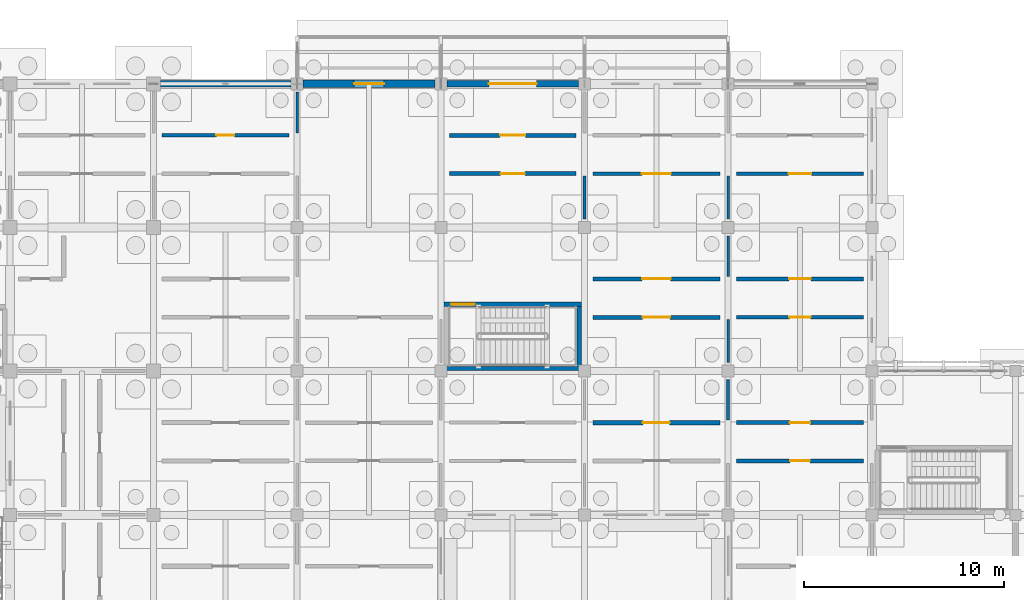
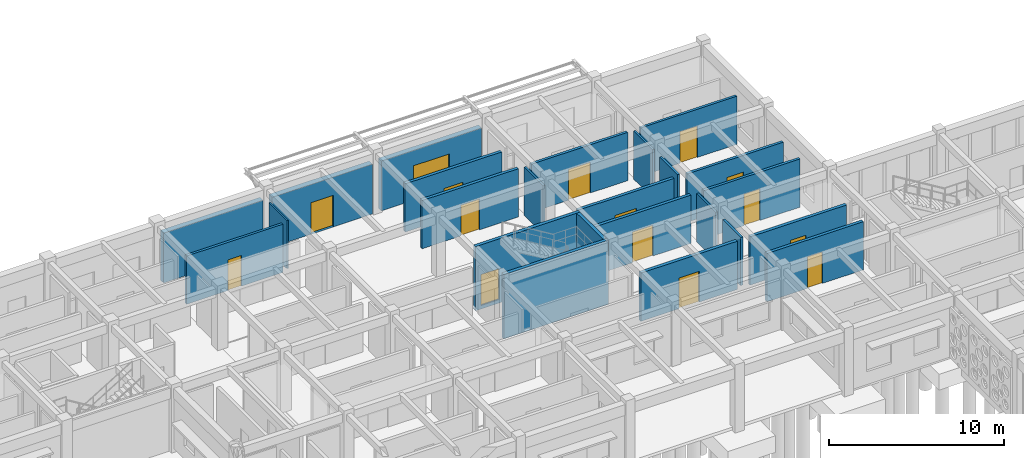
# One storey, part 71 of 111: 24 walls, 15 doors, 15 openings.
"""IFC4 building model written with IfcOpenShell, lengths in metres."""

from ifc_helpers import new_model, si_unit, direction, frame, frame_2d, origin, place, context, subcontext, project, spatial, rectangle, extrude, material, layer, layer_set, type_object, element, fill, save


model = new_model("IFC4")

# Units and contexts
model_context = context("Model", 3, precision=1e-05, world=origin(), true_north=direction((0.0, 1.0)))
body_context = subcontext(model_context, "Body", "Model", "MODEL_VIEW")
ifc_project = project(units=[si_unit("LENGTHUNIT", "METRE"), si_unit("AREAUNIT", "SQUARE_METRE"), si_unit("VOLUMEUNIT", "CUBIC_METRE"), si_unit("PLANEANGLEUNIT", "RADIAN"), si_unit("MASSUNIT", "GRAM", prefix="KILO")], contexts=[model_context])

# Site, building, storey
site_placement = place(None, origin())
site = spatial("IfcSite", under=ifc_project, at=site_placement, CompositionType="ELEMENT")
building_placement = place(site_placement, origin())
building = spatial("IfcBuilding", under=site, at=building_placement, Name="Aldebral Square Health Centre", CompositionType="ELEMENT")
storey_placement = place(building_placement, origin())
storey = spatial("IfcBuildingStorey", under=building, at=storey_placement, Name="L00", CompositionType="ELEMENT", Elevation=0.0)

# Wall
ifc_material_1 = material(Name="Cream cantera stone and concrete wall C35/45", Category="masonry")
ifc_layer_1 = layer(ifc_material_1, 0.340087890625, Name="Cream cantera stone and concrete wall C35/45", Category="masonry")
ifc_layer_set_1 = layer_set([ifc_layer_1], Name="Cream cantera stone and concrete wall C35/45")
wall_type_1 = type_object("IfcWallType", Name="EW-CAN-340", PredefinedType="SOLIDWALL", material=ifc_layer_set_1)
wall_1_placement = place(storey_placement, frame((35.699951171875, 115.199951171875, 0.0), z_axis=(0.0, 0.0, 1.0), x_axis=(-1.0, 0.0, 0.0)))
element("IfcWall", 1, at=wall_1_placement, inside=storey, type_object=wall_type_1, Name="L00 V2 exterior wall L00-V2-04-15-N", PredefinedType="SOLIDWALL", context=body_context, shape_type="SweptSolid", body=[
    extrude(rectangle(XDim=6.550048828125, YDim=0.340087890625, at=frame_2d((3.27490234375, 0.0))), origin(), (0.0, 0.0, 1.0), 3.469970703125),
])

# Wall, opening, door
wall_2_placement = place(storey_placement, frame((43.5, 115.199951171875, 0.0), z_axis=(0.0, 0.0, 1.0), x_axis=(1.0, 0.0, 0.0)))
wall_2 = element("IfcWall", 2, at=wall_2_placement, inside=storey, type_object=wall_type_1, Name="L00 V2 exterior wall L00-V2-06-15-N", PredefinedType="SOLIDWALL", context=body_context, shape_type="SweptSolid", body=[
    extrude(rectangle(XDim=6.60009765625, YDim=0.340087890625, at=frame_2d((3.300048828125, 0.0))), origin(), (0.0, 0.0, 1.0), 3.469970703125),
])
opening_1_placement = place(wall_2_placement, frame((2.10009765625, 0.0, 0.0)))
opening_1 = element("IfcOpeningElement", 3, at=opening_1_placement, cuts=wall_2, Name="Opening DG-SRV01", PredefinedType="OPENING", context=body_context, shape_type="SweptSolid", body=[
    extrude(rectangle(XDim=2.39990234375, YDim=2.39990234375, at=frame_2d((1.199951171875, 1.199951171875))), frame((0.0, 0.18017578125, 0.0), z_axis=(0.0, -1.0, 0.0), x_axis=(1.0, 0.0, 0.0)), (0.0, 0.0, 1.0), 0.360107421875),
])
ifc_material_2 = material(Name="Galvanised steel", Category="steel")
door_type_1 = type_object("IfcDoorType", Name="DR-SRV-240", OperationType="DOUBLE_DOOR_SINGLE_SWING", PredefinedType="GATE", material=ifc_material_2)
door_1_placement = place(opening_1_placement, origin())
door_1 = element("IfcDoor", 4, at=door_1_placement, inside=storey, type_object=door_type_1, Name="L00 exterior door DG-SRV01", OperationType="DOUBLE_DOOR_SINGLE_SWING", OverallHeight=2.39990234375, OverallWidth=2.39990234375, PredefinedType="GATE", context=body_context, shape_type="SweptSolid", body=[
    extrude(rectangle(XDim=2.39990234375, YDim=2.39990234375, at=frame_2d((1.199951171875, 1.199951171875))), frame((0.0, 0.02490234375, 0.0), z_axis=(0.0, -1.0, 0.0), x_axis=(1.0, 0.0, 0.0)), (0.0, 0.0, 1.0), 0.050048828125),
])
fill(opening_1, door_1)

ifc_layer_2 = layer(ifc_material_1, 0.360107421875, Name="Cream cantera stone and concrete wall C35/45", Category="masonry")
ifc_layer_set_2 = layer_set([ifc_layer_2], Name="Cream cantera stone and concrete wall C35/45")
wall_type_2 = type_object("IfcWallType", Name="EW-CAN-360", PredefinedType="SOLIDWALL", material=ifc_layer_set_2)
wall_3_placement = place(storey_placement, frame((36.300048828125, 115.199951171875, 0.0), z_axis=(0.0, 0.0, 1.0), x_axis=(1.0, 0.0, 0.0)))
wall_3 = element("IfcWall", 5, at=wall_3_placement, inside=storey, type_object=wall_type_2, Name="L00 V2 exterior wall L00-V2-05-15-N", PredefinedType="SOLIDWALL", context=body_context, shape_type="SweptSolid", body=[
    extrude(rectangle(XDim=6.599853515625, YDim=0.360107421875, at=frame_2d((3.2998046875, 0.0))), origin(), (0.0, 0.0, 1.0), 3.469970703125),
])
opening_2_placement = place(wall_3_placement, frame((2.550048828125, 0.0, 0.0)))
opening_2 = element("IfcOpeningElement", 6, at=opening_2_placement, cuts=wall_3, Name="Opening D-EX09", PredefinedType="OPENING", context=body_context, shape_type="SweptSolid", body=[
    extrude(rectangle(XDim=1.5, YDim=2.199951171875, at=frame_2d((0.75, 1.10009765625))), frame((0.0, 0.18994140625, 0.0), z_axis=(0.0, -1.0, 0.0), x_axis=(1.0, 0.0, 0.0)), (0.0, 0.0, 1.0), 0.380126953125),
])
ifc_material_3 = material(Name="Anodised aluminium and laminated safety glass", Category="aluminium")
door_type_2 = type_object("IfcDoorType", Name="DR-EX-150", OperationType="DOUBLE_DOOR_SINGLE_SWING", PredefinedType="DOOR", material=ifc_material_3)
door_2_placement = place(opening_2_placement, origin())
door_2 = element("IfcDoor", 7, at=door_2_placement, inside=storey, type_object=door_type_2, Name="L00 exterior door D-EX09", OperationType="DOUBLE_DOOR_SINGLE_SWING", OverallHeight=2.199951171875, OverallWidth=1.5, PredefinedType="DOOR", context=body_context, shape_type="SweptSolid", body=[
    extrude(rectangle(XDim=1.5, YDim=2.199951171875, at=frame_2d((0.75, 1.10009765625))), frame((0.0, 0.02490234375, 0.0), z_axis=(0.0, -1.0, 0.0), x_axis=(1.0, 0.0, 0.0)), (0.0, 0.0, 1.0), 0.050048828125),
])
fill(opening_2, door_2)

ifc_material_4 = material(Name="Concrete C35/45 compartment wall", Category="concrete")
ifc_layer_3 = layer(ifc_material_4, 0.199951171875, Name="Concrete C35/45 compartment wall", Category="concrete")
ifc_layer_set_3 = layer_set([ifc_layer_3], Name="Concrete C35/45 compartment wall")
wall_type_3 = type_object("IfcWallType", Name="IW-CMP-200", PredefinedType="SOLIDWALL", material=ifc_layer_set_3)
wall_4_placement = place(storey_placement, frame((43.6201171875, 110.699951171875, 0.0), z_axis=(0.0, 0.0, 1.0), x_axis=(1.0, 0.0, 0.0)))
wall_4 = element("IfcWall", 8, at=wall_4_placement, inside=storey, type_object=wall_type_3, Name="L00 Electrical Switchroom 7.16S corridor wall", PredefinedType="SOLIDWALL", context=body_context, shape_type="SweptSolid", body=[
    extrude(rectangle(XDim=6.35986328125, YDim=0.199951171875, at=frame_2d((3.179931640625, 0.0))), origin(), (0.0, 0.0, 1.0), 3.360107421875),
])
opening_3_placement = place(wall_4_placement, frame((2.570068359375, 0.0, 0.0)))
opening_3 = element("IfcOpeningElement", 9, at=opening_3_placement, cuts=wall_4, Name="Opening D-FD60-45", PredefinedType="OPENING", context=body_context, shape_type="SweptSolid", body=[
    extrude(rectangle(XDim=1.219970703125, YDim=2.139892578125, at=frame_2d((0.60986328125, 1.06982421875))), frame((0.0, 0.10986328125, 0.0), z_axis=(0.0, -1.0, 0.0), x_axis=(1.0, 0.0, 0.0)), (0.0, 0.0, 1.0), 0.219970703125),
])
ifc_material_5 = material(Name="Clinical suite fire door")
door_type_3 = type_object("IfcDoorType", Name="ID-EXD-40", OperationType="NOTDEFINED", PredefinedType="DOOR", material=ifc_material_5)
door_3_placement = place(opening_3_placement, origin())
door_3 = element("IfcDoor", 10, at=door_3_placement, inside=storey, type_object=door_type_3, Name="L00 Electrical Switchroom 7.16S door", OperationType="SINGLE_SWING_RIGHT", OverallHeight=2.139892578125, OverallWidth=1.219970703125, PredefinedType="DOOR", context=body_context, shape_type="SweptSolid", body=[
    extrude(rectangle(XDim=1.219970703125, YDim=2.139892578125, at=frame_2d((0.60986328125, 1.06982421875))), frame((0.0, 0.02490234375, 0.0), z_axis=(0.0, -1.0, 0.0), x_axis=(1.0, 0.0, 0.0)), (0.0, 0.0, 1.0), 0.050048828125),
])
fill(opening_3, door_3)

wall_5_placement = place(storey_placement, frame((43.6201171875, 112.6201171875, 0.0), z_axis=(0.0, 0.0, 1.0), x_axis=(1.0, 0.0, 0.0)))
wall_5 = element("IfcWall", 11, at=wall_5_placement, inside=storey, type_object=wall_type_3, Name="L00 Central Chiller Plant Room 7.16N corridor wall", PredefinedType="SOLIDWALL", context=body_context, shape_type="SweptSolid", body=[
    extrude(rectangle(XDim=6.35986328125, YDim=0.199951171875, at=frame_2d((3.179931640625, 0.0))), origin(), (0.0, 0.0, 1.0), 3.360107421875),
])
opening_4_placement = place(wall_5_placement, frame((2.550048828125, 0.0, 0.0)))
opening_4 = element("IfcOpeningElement", 12, at=opening_4_placement, cuts=wall_5, Name="Opening D-FD60-46", PredefinedType="OPENING", context=body_context, shape_type="SweptSolid", body=[
    extrude(rectangle(XDim=1.260009765625, YDim=2.139892578125, at=frame_2d((0.6298828125, 1.06982421875))), frame((0.0, 0.10986328125, 0.0), z_axis=(0.0, -1.0, 0.0), x_axis=(1.0, 0.0, 0.0)), (0.0, 0.0, 1.0), 0.219970703125),
])
door_type_4 = type_object("IfcDoorType", Name="ID-EXD-41", OperationType="NOTDEFINED", PredefinedType="DOOR", material=ifc_material_5)
door_4_placement = place(opening_4_placement, origin())
door_4 = element("IfcDoor", 13, at=door_4_placement, inside=storey, type_object=door_type_4, Name="L00 Central Chiller Plant Room 7.16N door", OperationType="SINGLE_SWING_LEFT", OverallHeight=2.139892578125, OverallWidth=1.260009765625, PredefinedType="DOOR", context=body_context, shape_type="SweptSolid", body=[
    extrude(rectangle(XDim=1.260009765625, YDim=2.139892578125, at=frame_2d((0.6298828125, 1.06982421875))), frame((0.0, 0.02490234375, 0.0), z_axis=(0.0, -1.0, 0.0), x_axis=(1.0, 0.0, 0.0)), (0.0, 0.0, 1.0), 0.050048828125),
])
fill(opening_4, door_4)

wall_6_placement = place(storey_placement, frame((50.820068359375, 103.5, 0.0), z_axis=(0.0, 0.0, 1.0), x_axis=(1.0, 0.0, 0.0)))
wall_6 = element("IfcWall", 14, at=wall_6_placement, inside=storey, type_object=wall_type_3, Name="L00 Phlebotomy Suite 8.15S corridor wall", PredefinedType="SOLIDWALL", context=body_context, shape_type="SweptSolid", body=[
    extrude(rectangle(XDim=6.35986328125, YDim=0.199951171875, at=frame_2d((3.179931640625, 0.0))), origin(), (0.0, 0.0, 1.0), 3.360107421875),
])
opening_5_placement = place(wall_6_placement, frame((2.489990234375, 0.0, 0.0)))
opening_5 = element("IfcOpeningElement", 15, at=opening_5_placement, cuts=wall_6, Name="Opening D-FD60-49", PredefinedType="OPENING", context=body_context, shape_type="SweptSolid", body=[
    extrude(rectangle(XDim=1.3798828125, YDim=2.139892578125, at=frame_2d((0.68994140625, 1.06982421875))), frame((0.0, 0.10986328125, 0.0), z_axis=(0.0, -1.0, 0.0), x_axis=(1.0, 0.0, 0.0)), (0.0, 0.0, 1.0), 0.219970703125),
])
door_type_5 = type_object("IfcDoorType", Name="ID-EXD-44", OperationType="NOTDEFINED", PredefinedType="DOOR", material=ifc_material_5)
door_5_placement = place(opening_5_placement, origin())
door_5 = element("IfcDoor", 16, at=door_5_placement, inside=storey, type_object=door_type_5, Name="L00 Phlebotomy Suite 8.15S door", OperationType="SINGLE_SWING_RIGHT", OverallHeight=2.139892578125, OverallWidth=1.3798828125, PredefinedType="DOOR", context=body_context, shape_type="SweptSolid", body=[
    extrude(rectangle(XDim=1.3798828125, YDim=2.139892578125, at=frame_2d((0.68994140625, 1.06982421875))), frame((0.0, 0.02490234375, 0.0), z_axis=(0.0, -1.0, 0.0), x_axis=(1.0, 0.0, 0.0)), (0.0, 0.0, 1.0), 0.050048828125),
])
fill(opening_5, door_5)

wall_7_placement = place(storey_placement, frame((50.820068359375, 105.419921875, 0.0), z_axis=(0.0, 0.0, 1.0), x_axis=(1.0, 0.0, 0.0)))
wall_7 = element("IfcWall", 17, at=wall_7_placement, inside=storey, type_object=wall_type_3, Name="L00 Microbiology Laboratory 8.15N corridor wall", PredefinedType="SOLIDWALL", context=body_context, shape_type="SweptSolid", body=[
    extrude(rectangle(XDim=6.35986328125, YDim=0.199951171875, at=frame_2d((3.179931640625, 0.0))), origin(), (0.0, 0.0, 1.0), 3.360107421875),
])
opening_6_placement = place(wall_7_placement, frame((2.469970703125, 0.0, 0.0)))
opening_6 = element("IfcOpeningElement", 18, at=opening_6_placement, cuts=wall_7, Name="Opening D-FD60-50", PredefinedType="OPENING", context=body_context, shape_type="SweptSolid", body=[
    extrude(rectangle(XDim=1.419921875, YDim=2.139892578125, at=frame_2d((0.7099609375, 1.06982421875))), frame((0.0, 0.10986328125, 0.0), z_axis=(0.0, -1.0, 0.0), x_axis=(1.0, 0.0, 0.0)), (0.0, 0.0, 1.0), 0.219970703125),
])
door_type_6 = type_object("IfcDoorType", Name="ID-EXD-45", OperationType="NOTDEFINED", PredefinedType="DOOR", material=ifc_material_5)
door_6_placement = place(opening_6_placement, origin())
door_6 = element("IfcDoor", 19, at=door_6_placement, inside=storey, type_object=door_type_6, Name="L00 Microbiology Laboratory 8.15N door", OperationType="SINGLE_SWING_LEFT", OverallHeight=2.139892578125, OverallWidth=1.419921875, PredefinedType="DOOR", context=body_context, shape_type="SweptSolid", body=[
    extrude(rectangle(XDim=1.419921875, YDim=2.139892578125, at=frame_2d((0.7099609375, 1.06982421875))), frame((0.0, 0.02490234375, 0.0), z_axis=(0.0, -1.0, 0.0), x_axis=(1.0, 0.0, 0.0)), (0.0, 0.0, 1.0), 0.050048828125),
])
fill(opening_6, door_6)

wall_8_placement = place(storey_placement, frame((58.02001953125, 96.300048828125, 0.0), z_axis=(0.0, 0.0, 1.0), x_axis=(1.0, 0.0, 0.0)))
wall_8 = element("IfcWall", 20, at=wall_8_placement, inside=storey, type_object=wall_type_3, Name="L00 Central Chiller Plant Room 9.14S corridor wall", PredefinedType="SOLIDWALL", context=body_context, shape_type="SweptSolid", body=[
    extrude(rectangle(XDim=6.35986328125, YDim=0.199951171875, at=frame_2d((3.179931640625, 0.0))), origin(), (0.0, 0.0, 1.0), 3.360107421875),
])
opening_7_placement = place(wall_8_placement, frame((2.68994140625, 0.0, 0.0)))
opening_7 = element("IfcOpeningElement", 21, at=opening_7_placement, cuts=wall_8, Name="Opening D-FD60-55", PredefinedType="OPENING", context=body_context, shape_type="SweptSolid", body=[
    extrude(rectangle(XDim=0.97998046875, YDim=2.18994140625, at=frame_2d((0.489990234375, 1.094970703125))), frame((0.0, 0.10986328125, 0.0), z_axis=(0.0, -1.0, 0.0), x_axis=(1.0, 0.0, 0.0)), (0.0, 0.0, 1.0), 0.219970703125),
])
door_type_7 = type_object("IfcDoorType", Name="ID-EXD-50", OperationType="NOTDEFINED", PredefinedType="DOOR", material=ifc_material_5)
door_7_placement = place(opening_7_placement, origin())
door_7 = element("IfcDoor", 22, at=door_7_placement, inside=storey, type_object=door_type_7, Name="L00 Central Chiller Plant Room 9.14S door", OperationType="SINGLE_SWING_RIGHT", OverallHeight=2.18994140625, OverallWidth=0.97998046875, PredefinedType="DOOR", context=body_context, shape_type="SweptSolid", body=[
    extrude(rectangle(XDim=0.97998046875, YDim=2.18994140625, at=frame_2d((0.489990234375, 1.094970703125))), frame((0.0, 0.02490234375, 0.0), z_axis=(0.0, -1.0, 0.0), x_axis=(1.0, 0.0, 0.0)), (0.0, 0.0, 1.0), 0.050048828125),
])
fill(opening_7, door_7)

ifc_layer_4 = layer(ifc_material_4, 0.219970703125, Name="Concrete C35/45 compartment wall", Category="concrete")
ifc_layer_set_4 = layer_set([ifc_layer_4], Name="Concrete C35/45 compartment wall")
wall_type_4 = type_object("IfcWallType", Name="IW-CMP-220", PredefinedType="SOLIDWALL", material=ifc_layer_set_4)
wall_9_placement = place(storey_placement, frame((50.820068359375, 98.219970703125, 0.0), z_axis=(0.0, 0.0, 1.0), x_axis=(1.0, 0.0, 0.0)))
wall_9 = element("IfcWall", 23, at=wall_9_placement, inside=storey, type_object=wall_type_4, Name="L00 Clinical Laboratory 8.14N corridor wall", PredefinedType="SOLIDWALL", context=body_context, shape_type="SweptSolid", body=[
    extrude(rectangle(XDim=6.35986328125, YDim=0.219970703125, at=frame_2d((3.179931640625, 0.0))), origin(), (0.0, 0.0, 1.0), 3.360107421875),
])
opening_8_placement = place(wall_9_placement, frame((2.510009765625, 0.0, 0.0)))
opening_8 = element("IfcOpeningElement", 24, at=opening_8_placement, cuts=wall_9, Name="Opening D-FD60-48", PredefinedType="OPENING", context=body_context, shape_type="SweptSolid", body=[
    extrude(rectangle(XDim=1.340087890625, YDim=2.139892578125, at=frame_2d((0.669921875, 1.06982421875))), frame((0.0, 0.1201171875, 0.0), z_axis=(0.0, -1.0, 0.0), x_axis=(1.0, 0.0, 0.0)), (0.0, 0.0, 1.0), 0.239990234375),
])
door_type_8 = type_object("IfcDoorType", Name="ID-EXD-43", OperationType="NOTDEFINED", PredefinedType="DOOR", material=ifc_material_5)
door_8_placement = place(opening_8_placement, origin())
door_8 = element("IfcDoor", 25, at=door_8_placement, inside=storey, type_object=door_type_8, Name="L00 Clinical Laboratory 8.14N door", OperationType="SINGLE_SWING_LEFT", OverallHeight=2.139892578125, OverallWidth=1.340087890625, PredefinedType="DOOR", context=body_context, shape_type="SweptSolid", body=[
    extrude(rectangle(XDim=1.340087890625, YDim=2.139892578125, at=frame_2d((0.669921875, 1.06982421875))), frame((0.0, 0.02490234375, 0.0), z_axis=(0.0, -1.0, 0.0), x_axis=(1.0, 0.0, 0.0)), (0.0, 0.0, 1.0), 0.050048828125),
])
fill(opening_8, door_8)

ifc_material_6 = material(Name="Fire-rated acoustic gypsum partition")
ifc_layer_5 = layer(ifc_material_6, 0.1650390625, Name="Fire-rated acoustic gypsum partition")
ifc_layer_set_5 = layer_set([ifc_layer_5], Name="Fire-rated acoustic gypsum partition")
wall_type_5 = type_object("IfcWallType", Name="IW-COR-165", PredefinedType="PARTITIONING", material=ifc_layer_set_5)
wall_10_placement = place(storey_placement, frame((29.219970703125, 112.6201171875, 0.0), z_axis=(0.0, 0.0, 1.0), x_axis=(1.0, 0.0, 0.0)))
wall_10 = element("IfcWall", 26, at=wall_10_placement, inside=storey, type_object=wall_type_5, Name="L00 Central Chiller Plant Room 5.16N corridor wall", PredefinedType="PARTITIONING", context=body_context, shape_type="SweptSolid", body=[
    extrude(rectangle(XDim=6.360107421875, YDim=0.1650390625, at=frame_2d((3.18017578125, 0.0))), origin(), (0.0, 0.0, 1.0), 3.360107421875),
])
opening_9_placement = place(wall_10_placement, frame((2.72998046875, 0.0, 0.0)))
opening_9 = element("IfcOpeningElement", 27, at=opening_9_placement, cuts=wall_10, Name="Opening D-FD60-37", PredefinedType="OPENING", context=body_context, shape_type="SweptSolid", body=[
    extrude(rectangle(XDim=0.89990234375, YDim=2.139892578125, at=frame_2d((0.449951171875, 1.06982421875))), frame((0.0, 0.092529296875, 0.0), z_axis=(0.0, -1.0, 0.0), x_axis=(1.0, 0.0, 0.0)), (0.0, 0.0, 1.0), 0.18505859375),
])
door_type_9 = type_object("IfcDoorType", Name="ID-EXD-32", OperationType="NOTDEFINED", PredefinedType="DOOR", material=ifc_material_5)
door_9_placement = place(opening_9_placement, origin())
door_9 = element("IfcDoor", 28, at=door_9_placement, inside=storey, type_object=door_type_9, Name="L00 Central Chiller Plant Room 5.16N door", OperationType="SINGLE_SWING_RIGHT", OverallHeight=2.139892578125, OverallWidth=0.89990234375, PredefinedType="DOOR", context=body_context, shape_type="SweptSolid", body=[
    extrude(rectangle(XDim=0.89990234375, YDim=2.139892578125, at=frame_2d((0.449951171875, 1.06982421875))), frame((0.0, 0.02490234375, 0.0), z_axis=(0.0, -1.0, 0.0), x_axis=(1.0, 0.0, 0.0)), (0.0, 0.0, 1.0), 0.050048828125),
])
fill(opening_9, door_9)

wall_11_placement = place(storey_placement, frame((58.02001953125, 110.699951171875, 0.0), z_axis=(0.0, 0.0, 1.0), x_axis=(1.0, 0.0, 0.0)))
wall_11 = element("IfcWall", 29, at=wall_11_placement, inside=storey, type_object=wall_type_5, Name="L00 Microbiology Laboratory 9.16S corridor wall", PredefinedType="PARTITIONING", context=body_context, shape_type="SweptSolid", body=[
    extrude(rectangle(XDim=6.35986328125, YDim=0.1650390625, at=frame_2d((3.179931640625, 0.0))), origin(), (0.0, 0.0, 1.0), 3.360107421875),
])
opening_10_placement = place(wall_11_placement, frame((2.610107421875, 0.0, 0.0)))
opening_10 = element("IfcOpeningElement", 30, at=opening_10_placement, cuts=wall_11, Name="Opening D-FD60-59", PredefinedType="OPENING", context=body_context, shape_type="SweptSolid", body=[
    extrude(rectangle(XDim=1.139892578125, YDim=2.18994140625, at=frame_2d((0.56982421875, 1.094970703125))), frame((0.0, 0.092529296875, 0.0), z_axis=(0.0, -1.0, 0.0), x_axis=(1.0, 0.0, 0.0)), (0.0, 0.0, 1.0), 0.18505859375),
])
door_type_10 = type_object("IfcDoorType", Name="ID-EXD-54", OperationType="NOTDEFINED", PredefinedType="DOOR", material=ifc_material_5)
door_10_placement = place(opening_10_placement, origin())
door_10 = element("IfcDoor", 31, at=door_10_placement, inside=storey, type_object=door_type_10, Name="L00 Microbiology Laboratory 9.16S door", OperationType="SINGLE_SWING_RIGHT", OverallHeight=2.18994140625, OverallWidth=1.139892578125, PredefinedType="DOOR", context=body_context, shape_type="SweptSolid", body=[
    extrude(rectangle(XDim=1.139892578125, YDim=2.18994140625, at=frame_2d((0.56982421875, 1.094970703125))), frame((0.0, 0.02490234375, 0.0), z_axis=(0.0, -1.0, 0.0), x_axis=(1.0, 0.0, 0.0)), (0.0, 0.0, 1.0), 0.050048828125),
])
fill(opening_10, door_10)

ifc_layer_6 = layer(ifc_material_6, 0.179931640625, Name="Fire-rated acoustic gypsum partition")
ifc_layer_set_6 = layer_set([ifc_layer_6], Name="Fire-rated acoustic gypsum partition")
wall_type_6 = type_object("IfcWallType", Name="IW-COR-180", PredefinedType="PARTITIONING", material=ifc_layer_set_6)
wall_12_placement = place(storey_placement, frame((50.820068359375, 110.699951171875, 0.0), z_axis=(0.0, 0.0, 1.0), x_axis=(1.0, 0.0, 0.0)))
wall_12 = element("IfcWall", 32, at=wall_12_placement, inside=storey, type_object=wall_type_6, Name="L00 Urgent Triage Exam 8.16S corridor wall", PredefinedType="PARTITIONING", context=body_context, shape_type="SweptSolid", body=[
    extrude(rectangle(XDim=6.35986328125, YDim=0.179931640625, at=frame_2d((3.179931640625, 0.0))), origin(), (0.0, 0.0, 1.0), 3.360107421875),
])
opening_11_placement = place(wall_12_placement, frame((2.449951171875, 0.0, 0.0)))
opening_11 = element("IfcOpeningElement", 33, at=opening_11_placement, cuts=wall_12, Name="Opening D-FD60-51", PredefinedType="OPENING", context=body_context, shape_type="SweptSolid", body=[
    extrude(rectangle(XDim=1.4599609375, YDim=2.139892578125, at=frame_2d((0.72998046875, 1.06982421875))), frame((0.0, 0.10009765625, 0.0), z_axis=(0.0, -1.0, 0.0), x_axis=(1.0, 0.0, 0.0)), (0.0, 0.0, 1.0), 0.199951171875),
])
door_type_11 = type_object("IfcDoorType", Name="ID-EXD-46", OperationType="NOTDEFINED", PredefinedType="DOOR", material=ifc_material_5)
door_11_placement = place(opening_11_placement, origin())
door_11 = element("IfcDoor", 34, at=door_11_placement, inside=storey, type_object=door_type_11, Name="L00 Urgent Triage Exam 8.16S door", OperationType="SINGLE_SWING_RIGHT", OverallHeight=2.139892578125, OverallWidth=1.4599609375, PredefinedType="DOOR", context=body_context, shape_type="SweptSolid", body=[
    extrude(rectangle(XDim=1.4599609375, YDim=2.139892578125, at=frame_2d((0.72998046875, 1.06982421875))), frame((0.0, 0.02490234375, 0.0), z_axis=(0.0, -1.0, 0.0), x_axis=(1.0, 0.0, 0.0)), (0.0, 0.0, 1.0), 0.050048828125),
])
fill(opening_11, door_11)

wall_13_placement = place(storey_placement, frame((58.02001953125, 103.5, 0.0), z_axis=(0.0, 0.0, 1.0), x_axis=(1.0, 0.0, 0.0)))
wall_13 = element("IfcWall", 35, at=wall_13_placement, inside=storey, type_object=wall_type_6, Name="L00 Clinical Laboratory 9.15S corridor wall", PredefinedType="PARTITIONING", context=body_context, shape_type="SweptSolid", body=[
    extrude(rectangle(XDim=6.35986328125, YDim=0.179931640625, at=frame_2d((3.179931640625, 0.0))), origin(), (0.0, 0.0, 1.0), 3.360107421875),
])
opening_12_placement = place(wall_13_placement, frame((2.64990234375, 0.0, 0.0)))
opening_12 = element("IfcOpeningElement", 36, at=opening_12_placement, cuts=wall_13, Name="Opening D-FD60-57", PredefinedType="OPENING", context=body_context, shape_type="SweptSolid", body=[
    extrude(rectangle(XDim=1.06005859375, YDim=2.18994140625, at=frame_2d((0.530029296875, 1.094970703125))), frame((0.0, 0.10009765625, 0.0), z_axis=(0.0, -1.0, 0.0), x_axis=(1.0, 0.0, 0.0)), (0.0, 0.0, 1.0), 0.199951171875),
])
door_type_12 = type_object("IfcDoorType", Name="ID-EXD-52", OperationType="NOTDEFINED", PredefinedType="DOOR", material=ifc_material_5)
door_12_placement = place(opening_12_placement, origin())
door_12 = element("IfcDoor", 37, at=door_12_placement, inside=storey, type_object=door_type_12, Name="L00 Clinical Laboratory 9.15S door", OperationType="SINGLE_SWING_RIGHT", OverallHeight=2.18994140625, OverallWidth=1.06005859375, PredefinedType="DOOR", context=body_context, shape_type="SweptSolid", body=[
    extrude(rectangle(XDim=1.06005859375, YDim=2.18994140625, at=frame_2d((0.530029296875, 1.094970703125))), frame((0.0, 0.02490234375, 0.0), z_axis=(0.0, -1.0, 0.0), x_axis=(1.0, 0.0, 0.0)), (0.0, 0.0, 1.0), 0.050048828125),
])
fill(opening_12, door_12)

wall_14_placement = place(storey_placement, frame((58.02001953125, 105.419921875, 0.0), z_axis=(0.0, 0.0, 1.0), x_axis=(1.0, 0.0, 0.0)))
wall_14 = element("IfcWall", 38, at=wall_14_placement, inside=storey, type_object=wall_type_6, Name="L00 Phlebotomy Suite 9.15N corridor wall", PredefinedType="PARTITIONING", context=body_context, shape_type="SweptSolid", body=[
    extrude(rectangle(XDim=6.35986328125, YDim=0.179931640625, at=frame_2d((3.179931640625, 0.0))), origin(), (0.0, 0.0, 1.0), 3.360107421875),
])
opening_13_placement = place(wall_14_placement, frame((2.6298828125, 0.0, 0.0)))
opening_13 = element("IfcOpeningElement", 39, at=opening_13_placement, cuts=wall_14, Name="Opening D-FD60-58", PredefinedType="OPENING", context=body_context, shape_type="SweptSolid", body=[
    extrude(rectangle(XDim=1.10009765625, YDim=2.18994140625, at=frame_2d((0.550048828125, 1.094970703125))), frame((0.0, 0.10009765625, 0.0), z_axis=(0.0, -1.0, 0.0), x_axis=(1.0, 0.0, 0.0)), (0.0, 0.0, 1.0), 0.199951171875),
])
door_type_13 = type_object("IfcDoorType", Name="ID-EXD-53", OperationType="NOTDEFINED", PredefinedType="DOOR", material=ifc_material_5)
door_13_placement = place(opening_13_placement, origin())
door_13 = element("IfcDoor", 40, at=door_13_placement, inside=storey, type_object=door_type_13, Name="L00 Phlebotomy Suite 9.15N door", OperationType="SINGLE_SWING_LEFT", OverallHeight=2.18994140625, OverallWidth=1.10009765625, PredefinedType="DOOR", context=body_context, shape_type="SweptSolid", body=[
    extrude(rectangle(XDim=1.10009765625, YDim=2.18994140625, at=frame_2d((0.550048828125, 1.094970703125))), frame((0.0, 0.02490234375, 0.0), z_axis=(0.0, -1.0, 0.0), x_axis=(1.0, 0.0, 0.0)), (0.0, 0.0, 1.0), 0.050048828125),
])
fill(opening_13, door_13)

# Wall
ifc_material_7 = material(Name="Concrete C40/50", Category="concrete")
ifc_layer_7 = layer(ifc_material_7, 0.219970703125, Name="Concrete C40/50", Category="concrete")
ifc_layer_set_7 = layer_set([ifc_layer_7], Name="Concrete C40/50")
wall_type_7 = type_object("IfcWallType", Name="IW-CORE-280", PredefinedType="SHEAR", material=ifc_layer_set_7)
wall_15_placement = place(storey_placement, frame((43.360107421875, 100.929931640625, -0.25), z_axis=(0.0, 0.0, 1.0), x_axis=(1.0, 0.0, 0.0)))
element("IfcWall", 41, at=wall_15_placement, inside=storey, type_object=wall_type_7, Name="L00 WS-S6 shaft wall S", PredefinedType="SHEAR", context=body_context, shape_type="SweptSolid", body=[
    extrude(rectangle(XDim=6.8798828125, YDim=0.219970703125, at=frame_2d((3.43994140625, 0.0))), origin(), (0.0, 0.0, 1.0), 4.469970703125),
])

# Wall, opening, door
wall_16_placement = place(storey_placement, frame((43.360107421875, 104.14990234375, -0.25), z_axis=(0.0, 0.0, 1.0), x_axis=(1.0, 0.0, 0.0)))
wall_16 = element("IfcWall", 42, at=wall_16_placement, inside=storey, type_object=wall_type_7, Name="L00 WS-S6 shaft wall N", PredefinedType="SHEAR", context=body_context, shape_type="SweptSolid", body=[
    extrude(rectangle(XDim=6.8798828125, YDim=0.219970703125, at=frame_2d((3.43994140625, 0.0))), origin(), (0.0, 0.0, 1.0), 4.469970703125),
])
opening_14_placement = place(wall_16_placement, frame((0.35009765625, 0.0, 0.25)))
opening_14 = element("IfcOpeningElement", 43, at=opening_14_placement, cuts=wall_16, Name="Opening D-0065", PredefinedType="OPENING", context=body_context, shape_type="SweptSolid", body=[
    extrude(rectangle(XDim=1.199951171875, YDim=2.14990234375, at=frame_2d((0.60009765625, 1.074951171875))), frame((0.0, 0.1201171875, 0.0), z_axis=(0.0, -1.0, 0.0), x_axis=(1.0, 0.0, 0.0)), (0.0, 0.0, 1.0), 0.239990234375),
])
ifc_material_8 = material(Name="Fire-rated steel stair door", Category="steel")
door_type_14 = type_object("IfcDoorType", Name="ID-ST-120", OperationType="NOTDEFINED", PredefinedType="DOOR", material=ifc_material_8)
door_14_placement = place(opening_14_placement, origin())
door_14 = element("IfcDoor", 44, at=door_14_placement, inside=storey, type_object=door_type_14, Name="L00 ST-06 fire door", OperationType="SINGLE_SWING_LEFT", OverallHeight=2.14990234375, OverallWidth=1.199951171875, PredefinedType="DOOR", context=body_context, shape_type="SweptSolid", body=[
    extrude(rectangle(XDim=1.199951171875, YDim=2.14990234375, at=frame_2d((0.60009765625, 1.074951171875))), frame((0.0, 0.02490234375, 0.0), z_axis=(0.0, -1.0, 0.0), x_axis=(1.0, 0.0, 0.0)), (0.0, 0.0, 1.0), 0.050048828125),
])
fill(opening_14, door_14)

# Wall
wall_17_placement = place(storey_placement, frame((50.1298828125, 101.0400390625, -0.25), z_axis=(0.0, 0.0, 1.0), x_axis=(0.0, 1.0, 0.0)))
element("IfcWall", 45, at=wall_17_placement, inside=storey, type_object=wall_type_7, Name="L00 WS-S6 shaft wall E", PredefinedType="SHEAR", context=body_context, shape_type="SweptSolid", body=[
    extrude(rectangle(XDim=3.0, YDim=0.219970703125, at=frame_2d((1.5, 0.0))), origin(), (0.0, 0.0, 1.0), 4.469970703125),
])

# Wall, opening, door
ifc_material_9 = material(Name="Moisture-resistant sanitary chase wall")
ifc_layer_8 = layer(ifc_material_9, 0.2099609375, Name="Moisture-resistant sanitary chase wall")
ifc_layer_set_8 = layer_set([ifc_layer_8], Name="Moisture-resistant sanitary chase wall")
wall_type_8 = type_object("IfcWallType", Name="IW-PLB-210", PredefinedType="PLUMBINGWALL", material=ifc_layer_set_8)
wall_18_placement = place(storey_placement, frame((58.02001953125, 98.219970703125, 0.0), z_axis=(0.0, 0.0, 1.0), x_axis=(1.0, 0.0, 0.0)))
wall_18 = element("IfcWall", 46, at=wall_18_placement, inside=storey, type_object=wall_type_8, Name="L00 Accessible WC 9.14N corridor wall", PredefinedType="PLUMBINGWALL", context=body_context, shape_type="SweptSolid", body=[
    extrude(rectangle(XDim=6.35986328125, YDim=0.2099609375, at=frame_2d((3.179931640625, 0.0))), origin(), (0.0, 0.0, 1.0), 3.360107421875),
])
opening_15_placement = place(wall_18_placement, frame((2.669921875, 0.0, 0.0)))
opening_15 = element("IfcOpeningElement", 47, at=opening_15_placement, cuts=wall_18, Name="Opening D-FD60-56", PredefinedType="OPENING", context=body_context, shape_type="SweptSolid", body=[
    extrude(rectangle(XDim=1.02001953125, YDim=2.18994140625, at=frame_2d((0.510009765625, 1.094970703125))), frame((0.0, 0.114990234375, 0.0), z_axis=(0.0, -1.0, 0.0), x_axis=(1.0, 0.0, 0.0)), (0.0, 0.0, 1.0), 0.22998046875),
])
door_type_15 = type_object("IfcDoorType", Name="ID-EXD-51", OperationType="NOTDEFINED", PredefinedType="DOOR", material=ifc_material_5)
door_15_placement = place(opening_15_placement, origin())
door_15 = element("IfcDoor", 48, at=door_15_placement, inside=storey, type_object=door_type_15, Name="L00 Accessible WC 9.14N door", OperationType="SINGLE_SWING_LEFT", OverallHeight=2.18994140625, OverallWidth=1.02001953125, PredefinedType="DOOR", context=body_context, shape_type="SweptSolid", body=[
    extrude(rectangle(XDim=1.02001953125, YDim=2.18994140625, at=frame_2d((0.510009765625, 1.094970703125))), frame((0.0, 0.02490234375, 0.0), z_axis=(0.0, -1.0, 0.0), x_axis=(1.0, 0.0, 0.0)), (0.0, 0.0, 1.0), 0.050048828125),
])
fill(opening_15, door_15)

# Walls
ifc_material_10 = material(Name="Lightweight clinical partition")
ifc_layer_9 = layer(ifc_material_10, 0.10498046875, Name="Lightweight clinical partition")
ifc_layer_set_9 = layer_set([ifc_layer_9], Name="Lightweight clinical partition")
wall_type_9 = type_object("IfcWallType", Name="IW-PRT-105", PredefinedType="PARTITIONING", material=ifc_layer_set_9)
wall_19_placement = place(storey_placement, frame((36.0, 112.739990234375, 0.0), z_axis=(0.0, 0.0, 1.0), x_axis=(0.0, 1.0, 0.0)))
element("IfcWall", 49, at=wall_19_placement, inside=storey, type_object=wall_type_9, Name="L00 Central Chiller Plant Room 5.16N demising partition", PredefinedType="PARTITIONING", context=body_context, shape_type="SweptSolid", body=[
    extrude(rectangle(XDim=2.0400390625, YDim=0.10498046875, at=frame_2d((1.02001953125, 0.0))), origin(), (0.0, 0.0, 1.0), 3.360107421875),
])
ifc_material_11 = material(Name="Acoustic clinical gypsum partition")
ifc_layer_10 = layer(ifc_material_11, 0.1201171875, Name="Acoustic clinical gypsum partition")
ifc_layer_set_10 = layer_set([ifc_layer_10], Name="Acoustic clinical gypsum partition")
wall_type_10 = type_object("IfcWallType", Name="IW-PRT-120", PredefinedType="PARTITIONING", material=ifc_layer_set_10)
wall_20_placement = place(storey_placement, frame((57.60009765625, 108.419921875, 0.0), z_axis=(0.0, 0.0, 1.0), x_axis=(0.0, 1.0, 0.0)))
element("IfcWall", 50, at=wall_20_placement, inside=storey, type_object=wall_type_10, Name="L00 Urgent Triage Exam 8.16S demising partition", PredefinedType="PARTITIONING", context=body_context, shape_type="SweptSolid", body=[
    extrude(rectangle(XDim=2.16015625, YDim=0.1201171875, at=frame_2d((1.080078125, 0.0))), origin(), (0.0, 0.0, 1.0), 3.360107421875),
])
ifc_layer_11 = layer(ifc_material_11, 0.135009765625, Name="Acoustic clinical gypsum partition")
ifc_layer_set_11 = layer_set([ifc_layer_11], Name="Acoustic clinical gypsum partition")
wall_type_11 = type_object("IfcWallType", Name="IW-PRT-135", PredefinedType="PARTITIONING", material=ifc_layer_set_11)
wall_21_placement = place(storey_placement, frame((50.39990234375, 108.419921875, 0.0), z_axis=(0.0, 0.0, 1.0), x_axis=(0.0, 1.0, 0.0)))
element("IfcWall", 51, at=wall_21_placement, inside=storey, type_object=wall_type_11, Name="L00 Electrical Switchroom 7.16S demising partition", PredefinedType="PARTITIONING", context=body_context, shape_type="SweptSolid", body=[
    extrude(rectangle(XDim=2.16015625, YDim=0.135009765625, at=frame_2d((1.080078125, 0.0))), origin(), (0.0, 0.0, 1.0), 3.360107421875),
])
wall_22_placement = place(storey_placement, frame((57.60009765625, 101.219970703125, 0.0), z_axis=(0.0, 0.0, 1.0), x_axis=(0.0, 1.0, 0.0)))
element("IfcWall", 52, at=wall_22_placement, inside=storey, type_object=wall_type_11, Name="L00 Phlebotomy Suite 8.15S demising partition", PredefinedType="PARTITIONING", context=body_context, shape_type="SweptSolid", body=[
    extrude(rectangle(XDim=2.159912109375, YDim=0.135009765625, at=frame_2d((1.080078125, 0.0))), origin(), (0.0, 0.0, 1.0), 3.360107421875),
])
wall_23_placement = place(storey_placement, frame((57.60009765625, 105.5400390625, 0.0), z_axis=(0.0, 0.0, 1.0), x_axis=(0.0, 1.0, 0.0)))
element("IfcWall", 53, at=wall_23_placement, inside=storey, type_object=wall_type_11, Name="L00 Microbiology Laboratory 8.15N demising partition", PredefinedType="PARTITIONING", context=body_context, shape_type="SweptSolid", body=[
    extrude(rectangle(XDim=2.0400390625, YDim=0.135009765625, at=frame_2d((1.02001953125, 0.0))), origin(), (0.0, 0.0, 1.0), 3.360107421875),
])
ifc_layer_12 = layer(ifc_material_11, 0.14990234375, Name="Acoustic clinical gypsum partition")
ifc_layer_set_12 = layer_set([ifc_layer_12], Name="Acoustic clinical gypsum partition")
wall_type_12 = type_object("IfcWallType", Name="IW-PRT-150", PredefinedType="PARTITIONING", material=ifc_layer_set_12)
wall_24_placement = place(storey_placement, frame((57.60009765625, 98.340087890625, 0.0), z_axis=(0.0, 0.0, 1.0), x_axis=(0.0, 1.0, 0.0)))
element("IfcWall", 54, at=wall_24_placement, inside=storey, type_object=wall_type_12, Name="L00 Clinical Laboratory 8.14N demising partition", PredefinedType="PARTITIONING", context=body_context, shape_type="SweptSolid", body=[
    extrude(rectangle(XDim=2.039794921875, YDim=0.14990234375, at=frame_2d((1.02001953125, 0.0))), origin(), (0.0, 0.0, 1.0), 3.360107421875),
])

save(model, "model.ifc")
